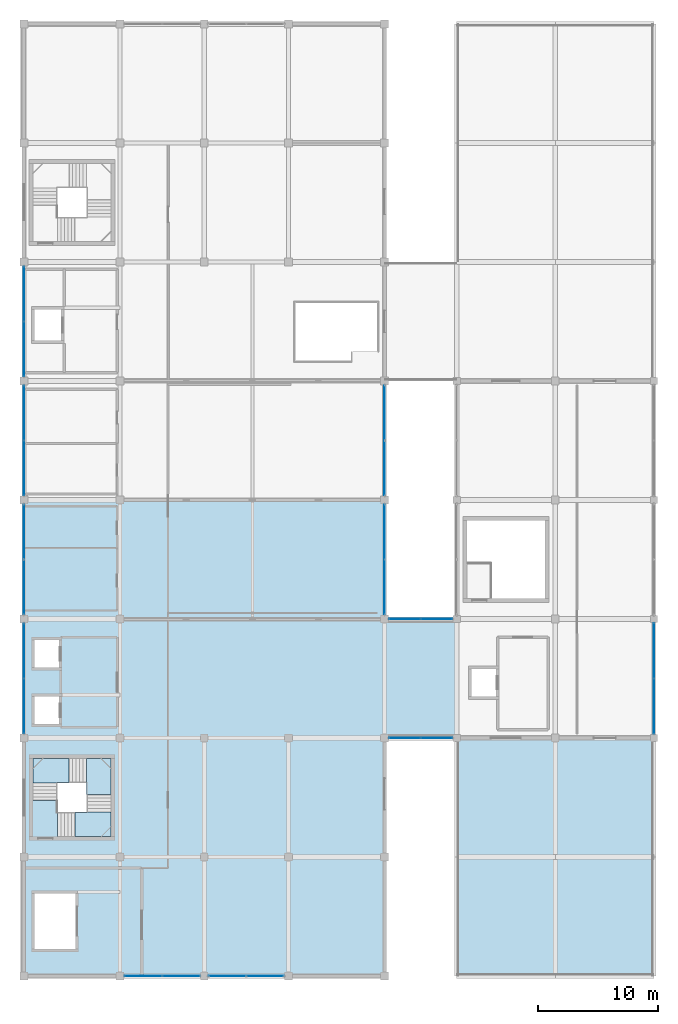
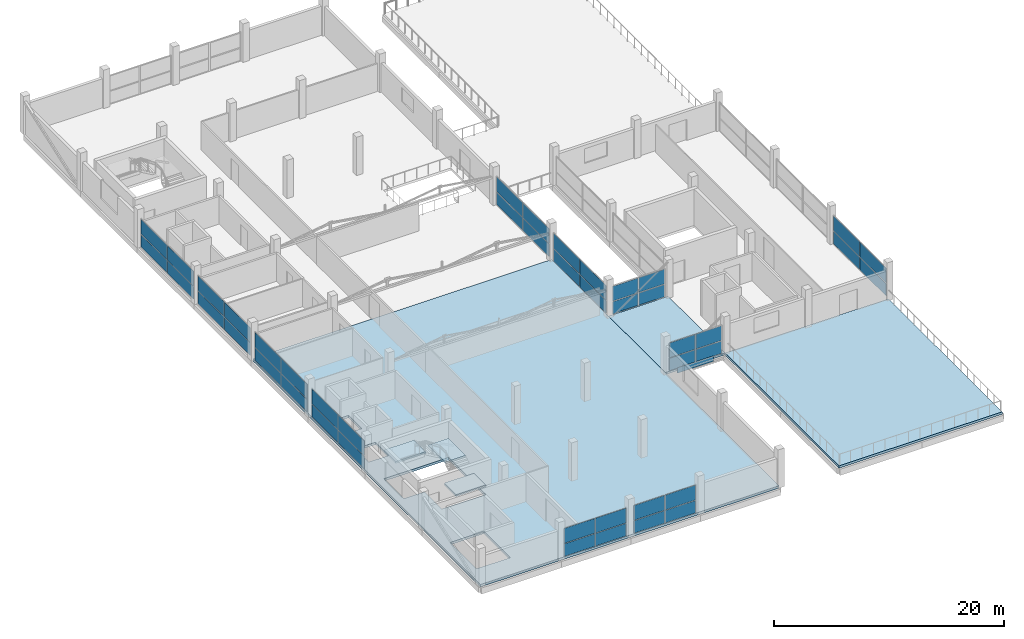
# One storey, part 42 of 53: 46 plates, 6 slabs, 12 elements without a shape of their own.
"""IFC4 building model written with IfcOpenShell, lengths in metres."""

from ifc_helpers import new_model, si_unit, direction, frame, origin, origin_2d, place, context, subcontext, project, spatial, polyline, rectangle, outline, extrude, material, layer, layer_set, type_object, element, aggregate, save


model = new_model("IFC4")

# Units and contexts
model_context = context("Model", 3, precision=1e-05, world=origin(), true_north=direction((0.0, 1.0)))
body_context = subcontext(model_context, "Body", "Model", "MODEL_VIEW")
ifc_project = project(units=[si_unit("LENGTHUNIT", "METRE"), si_unit("AREAUNIT", "SQUARE_METRE"), si_unit("VOLUMEUNIT", "CUBIC_METRE"), si_unit("PLANEANGLEUNIT", "RADIAN"), si_unit("MASSUNIT", "GRAM", prefix="KILO")], contexts=[model_context])

# Site, building, storey
site_placement = place(None, origin())
site = spatial("IfcSite", under=ifc_project, at=site_placement, CompositionType="ELEMENT")
building_placement = place(site_placement, origin())
building = spatial("IfcBuilding", under=site, at=building_placement, Name="Sillaruma Civic Art Gallery", CompositionType="ELEMENT")
storey_placement = place(building_placement, frame((0.0, 0.0, 70.3798828125)))
storey = spatial("IfcBuildingStorey", under=building, at=storey_placement, Name="L14", CompositionType="ELEMENT", Elevation=70.3798828125)

# Plates
ifc_material_1 = material(Name="Anodised Zinc-Aluminium Alloy", Category="aluminium")
ifc_layer_1 = layer(ifc_material_1, 0.044921875, Name="Anodised Zinc-Aluminium Alloy")
ifc_layer_set_1 = layer_set([ifc_layer_1], Name="Anodised Zinc-Aluminium Alloy")
plate_type_1 = type_object("IfcPlateType", Name="PLT-FAS-01", PredefinedType="USERDEFINED", material=ifc_layer_set_1)
for number, where, z_axis, x_axis, name in (
    (1, (95.0, 39.60009765625, -0.469970703125), (0.0, 0.0, 1.0), (1.0, 0.0, 0.0), "Sky-Bridge Fascia Cassette (BRG-S:L14:S)"),
    (2, (95.0, 49.5, -0.469970703125), (0.0, 0.0, 1.0), (1.0, 0.0, 0.0), "Sky-Bridge Fascia Cassette (BRG-S:L14:N)"),
):
    element("IfcPlate", number, at=place(storey_placement, frame(where, z_axis=z_axis, x_axis=x_axis)), inside=storey, type_object=plate_type_1, Name=name, ObjectType="FASCIA CASSETTE", PredefinedType="USERDEFINED", context=body_context, shape_type="SweptSolid", body=[
        extrude(rectangle(XDim=3.60009765625, YDim=0.044921875, at=origin_2d()), origin(), (0.0, 0.0, 1.0), 0.580078125),
    ])

# Curtain wall, plates
ifc_material_2 = material(Name="Thermally Broken Extruded Aluminium 6063-T6", Category="aluminium")
ifc_layer_2 = layer(ifc_material_2, 0.139892578125, Name="Thermally Broken Extruded Aluminium 6063-T6")
ifc_layer_set_2 = layer_set([ifc_layer_2], Name="Thermally Broken Extruded Aluminium 6063-T6")
curtain_wall_type_1 = type_object("IfcCurtainWallType", Name="CW-UNI-93", PredefinedType="NOTDEFINED", material=ifc_layer_set_2)
curtain_wall_1_placement = place(storey_placement, origin())
curtain_wall_1 = element("IfcCurtainWall", 3, at=curtain_wall_1_placement, inside=storey, type_object=curtain_wall_type_1, Name="Unitised Curtain Wall CW-93 (CW-L14-WBW-3)", PredefinedType="NOTDEFINED")
ifc_material_3 = material(Name="Low-E UV-Filtered Laminated Insulating Glass", Category="glass")
ifc_layer_3 = layer(ifc_material_3, 0.028076171875, Name="Low-E UV-Filtered Laminated Insulating Glass")
ifc_layer_set_3 = layer_set([ifc_layer_3], Name="Low-E UV-Filtered Laminated Insulating Glass")
plate_type_2 = type_object("IfcPlateType", Name="PNL-GLZ-28", PredefinedType="CURTAIN_PANEL", material=ifc_layer_set_3)
plate_1_placement = place(storey_placement, frame((62.0, 42.25244140625, 0.06005859375), z_axis=(0.0, 0.0, 1.0), x_axis=(0.0, 1.0, 0.0)))
plate_1 = element("IfcPlate", 4, at=plate_1_placement, type_object=plate_type_2, Name="CW-93 panel 1.1", PredefinedType="CURTAIN_PANEL", context=body_context, shape_type="SweptSolid", body=[
    extrude(rectangle(XDim=4.534912109375, YDim=0.028076171875, at=origin_2d()), origin(), (0.0, 0.0, 1.0), 1.326904296875),
])
plate_2_placement = place(storey_placement, frame((62.0, 42.25244140625, 1.44677734375), z_axis=(0.0, 0.0, 1.0), x_axis=(0.0, 1.0, 0.0)))
plate_2 = element("IfcPlate", 5, at=plate_2_placement, type_object=plate_type_2, Name="CW-93 panel 1.2", PredefinedType="CURTAIN_PANEL", context=body_context, shape_type="SweptSolid", body=[
    extrude(rectangle(XDim=4.534912109375, YDim=0.028076171875, at=origin_2d()), origin(), (0.0, 0.0, 1.0), 1.5732421875),
])
plate_3_placement = place(storey_placement, frame((62.0, 46.847412109375, 0.06005859375), z_axis=(0.0, 0.0, 1.0), x_axis=(0.0, 1.0, 0.0)))
plate_3 = element("IfcPlate", 6, at=plate_3_placement, type_object=plate_type_2, Name="CW-93 panel 2.1", PredefinedType="CURTAIN_PANEL", context=body_context, shape_type="SweptSolid", body=[
    extrude(rectangle(XDim=4.534912109375, YDim=0.028076171875, at=origin_2d()), origin(), (0.0, 0.0, 1.0), 1.326904296875),
])
plate_4_placement = place(storey_placement, frame((62.0, 46.847412109375, 1.44677734375), z_axis=(0.0, 0.0, 1.0), x_axis=(0.0, 1.0, 0.0)))
plate_4 = element("IfcPlate", 7, at=plate_4_placement, type_object=plate_type_2, Name="CW-93 panel 2.2", PredefinedType="CURTAIN_PANEL", context=body_context, shape_type="SweptSolid", body=[
    extrude(rectangle(XDim=4.534912109375, YDim=0.028076171875, at=origin_2d()), origin(), (0.0, 0.0, 1.0), 1.5732421875),
])
aggregate(curtain_wall_1, [plate_1, plate_2, plate_3, plate_4])

ifc_layer_4 = layer(ifc_material_2, 0.139892578125, Name="Thermally Broken Extruded Aluminium 6063-T6")
ifc_layer_set_4 = layer_set([ifc_layer_4], Name="Thermally Broken Extruded Aluminium 6063-T6")
curtain_wall_type_2 = type_object("IfcCurtainWallType", Name="CW-UNI-106", PredefinedType="NOTDEFINED", material=ifc_layer_set_4)
curtain_wall_2_placement = place(storey_placement, origin())
curtain_wall_2 = element("IfcCurtainWall", 8, at=curtain_wall_2_placement, inside=storey, type_object=curtain_wall_type_2, Name="Unitised Curtain Wall CW-106 (CW-L14-WBS-2)", PredefinedType="NOTDEFINED")
plate_5_placement = place(storey_placement, frame((71.927490234375, 19.800048828125, 0.06005859375), z_axis=(0.0, 0.0, 1.0), x_axis=(1.0, 0.0, 0.0)))
plate_5 = element("IfcPlate", 9, at=plate_5_placement, type_object=plate_type_2, Name="CW-106 panel 1.1", PredefinedType="CURTAIN_PANEL", context=body_context, shape_type="SweptSolid", body=[
    extrude(rectangle(XDim=3.0849609375, YDim=0.028076171875, at=origin_2d()), origin(), (0.0, 0.0, 1.0), 1.326904296875),
])
plate_6_placement = place(storey_placement, frame((71.927490234375, 19.800048828125, 1.44677734375), z_axis=(0.0, 0.0, 1.0), x_axis=(1.0, 0.0, 0.0)))
plate_6 = element("IfcPlate", 10, at=plate_6_placement, type_object=plate_type_2, Name="CW-106 panel 1.2", PredefinedType="CURTAIN_PANEL", context=body_context, shape_type="SweptSolid", body=[
    extrude(rectangle(XDim=3.0849609375, YDim=0.028076171875, at=origin_2d()), origin(), (0.0, 0.0, 1.0), 1.5732421875),
])
plate_7_placement = place(storey_placement, frame((75.072509765625, 19.800048828125, 0.06005859375), z_axis=(0.0, 0.0, 1.0), x_axis=(1.0, 0.0, 0.0)))
plate_7 = element("IfcPlate", 11, at=plate_7_placement, type_object=plate_type_2, Name="CW-106 panel 2.1", PredefinedType="CURTAIN_PANEL", context=body_context, shape_type="SweptSolid", body=[
    extrude(rectangle(XDim=3.0849609375, YDim=0.028076171875, at=origin_2d()), origin(), (0.0, 0.0, 1.0), 1.326904296875),
])
plate_8_placement = place(storey_placement, frame((75.072509765625, 19.800048828125, 1.44677734375), z_axis=(0.0, 0.0, 1.0), x_axis=(1.0, 0.0, 0.0)))
plate_8 = element("IfcPlate", 12, at=plate_8_placement, type_object=plate_type_2, Name="CW-106 panel 2.2", PredefinedType="CURTAIN_PANEL", context=body_context, shape_type="SweptSolid", body=[
    extrude(rectangle(XDim=3.0849609375, YDim=0.028076171875, at=origin_2d()), origin(), (0.0, 0.0, 1.0), 1.5732421875),
])
aggregate(curtain_wall_2, [plate_5, plate_6, plate_7, plate_8])

ifc_layer_5 = layer(ifc_material_2, 0.159912109375, Name="Thermally Broken Extruded Aluminium 6063-T6")
ifc_layer_set_5 = layer_set([ifc_layer_5], Name="Thermally Broken Extruded Aluminium 6063-T6")
curtain_wall_type_3 = type_object("IfcCurtainWallType", Name="CW-UNI-94", PredefinedType="NOTDEFINED", material=ifc_layer_set_5)
curtain_wall_3_placement = place(storey_placement, origin())
curtain_wall_3 = element("IfcCurtainWall", 13, at=curtain_wall_3_placement, inside=storey, type_object=curtain_wall_type_3, Name="Unitised Curtain Wall CW-94 (CW-L14-WBW-5)", PredefinedType="NOTDEFINED")
ifc_layer_6 = layer(ifc_material_3, 0.030029296875, Name="Low-E UV-Filtered Laminated Insulating Glass")
ifc_layer_set_6 = layer_set([ifc_layer_6], Name="Low-E UV-Filtered Laminated Insulating Glass")
plate_type_3 = type_object("IfcPlateType", Name="PNL-GLZ-30", PredefinedType="CURTAIN_PANEL", material=ifc_layer_set_6)
plate_9_placement = place(storey_placement, frame((62.0, 62.0537109375, 0.06005859375), z_axis=(0.0, 0.0, 1.0), x_axis=(0.0, 1.0, 0.0)))
plate_9 = element("IfcPlate", 14, at=plate_9_placement, type_object=plate_type_3, Name="CW-94 panel 1.1", PredefinedType="CURTAIN_PANEL", context=body_context, shape_type="SweptSolid", body=[
    extrude(rectangle(XDim=4.527587890625, YDim=0.030029296875, at=origin_2d()), origin(), (0.0, 0.0, 1.0), 1.326904296875),
])
plate_10_placement = place(storey_placement, frame((62.0, 62.0537109375, 1.44677734375), z_axis=(0.0, 0.0, 1.0), x_axis=(0.0, 1.0, 0.0)))
plate_10 = element("IfcPlate", 15, at=plate_10_placement, type_object=plate_type_3, Name="CW-94 panel 1.2", PredefinedType="CURTAIN_PANEL", context=body_context, shape_type="SweptSolid", body=[
    extrude(rectangle(XDim=4.527587890625, YDim=0.030029296875, at=origin_2d()), origin(), (0.0, 0.0, 1.0), 1.5732421875),
])
plate_11_placement = place(storey_placement, frame((62.0, 66.646240234375, 0.06005859375), z_axis=(0.0, 0.0, 1.0), x_axis=(0.0, 1.0, 0.0)))
plate_11 = element("IfcPlate", 16, at=plate_11_placement, type_object=plate_type_3, Name="CW-94 panel 2.1", PredefinedType="CURTAIN_PANEL", context=body_context, shape_type="SweptSolid", body=[
    extrude(rectangle(XDim=4.527587890625, YDim=0.030029296875, at=origin_2d()), origin(), (0.0, 0.0, 1.0), 1.326904296875),
])
plate_12_placement = place(storey_placement, frame((62.0, 66.646240234375, 1.44677734375), z_axis=(0.0, 0.0, 1.0), x_axis=(0.0, 1.0, 0.0)))
plate_12 = element("IfcPlate", 17, at=plate_12_placement, type_object=plate_type_3, Name="CW-94 panel 2.2", PredefinedType="CURTAIN_PANEL", context=body_context, shape_type="SweptSolid", body=[
    extrude(rectangle(XDim=4.527587890625, YDim=0.030029296875, at=origin_2d()), origin(), (0.0, 0.0, 1.0), 1.5732421875),
])
aggregate(curtain_wall_3, [plate_9, plate_10, plate_11, plate_12])

ifc_layer_7 = layer(ifc_material_2, 0.139892578125, Name="Thermally Broken Extruded Aluminium 6063-T6")
ifc_layer_set_7 = layer_set([ifc_layer_7], Name="Thermally Broken Extruded Aluminium 6063-T6")
curtain_wall_type_4 = type_object("IfcCurtainWallType", Name="CW-UNI-105", PredefinedType="NOTDEFINED", material=ifc_layer_set_7)
curtain_wall_4_placement = place(storey_placement, origin())
curtain_wall_4 = element("IfcCurtainWall", 18, at=curtain_wall_4_placement, inside=storey, type_object=curtain_wall_type_4, Name="Unitised Curtain Wall CW-105 (CW-L14-WBE-4)", PredefinedType="NOTDEFINED")
ifc_layer_8 = layer(ifc_material_3, 0.033935546875, Name="Low-E UV-Filtered Laminated Insulating Glass")
ifc_layer_set_8 = layer_set([ifc_layer_8], Name="Low-E UV-Filtered Laminated Insulating Glass")
plate_type_4 = type_object("IfcPlateType", Name="PNL-GLZ-34", PredefinedType="CURTAIN_PANEL", material=ifc_layer_set_8)
plate_13_placement = place(storey_placement, frame((92.0, 52.152587890625, 0.065185546875), z_axis=(0.0, 0.0, 1.0), x_axis=(0.0, 1.0, 0.0)))
plate_13 = element("IfcPlate", 19, at=plate_13_placement, type_object=plate_type_4, Name="CW-105 panel 1.1", PredefinedType="CURTAIN_PANEL", context=body_context, shape_type="SweptSolid", body=[
    extrude(rectangle(XDim=4.534912109375, YDim=0.033935546875, at=origin_2d()), origin(), (0.0, 0.0, 1.0), 1.3193359375),
])
plate_14_placement = place(storey_placement, frame((92.0, 52.152587890625, 1.44921875), z_axis=(0.0, 0.0, 1.0), x_axis=(0.0, 1.0, 0.0)))
plate_14 = element("IfcPlate", 20, at=plate_14_placement, type_object=plate_type_4, Name="CW-105 panel 1.2", PredefinedType="CURTAIN_PANEL", context=body_context, shape_type="SweptSolid", body=[
    extrude(rectangle(XDim=4.534912109375, YDim=0.033935546875, at=origin_2d()), origin(), (0.0, 0.0, 1.0), 1.565673828125),
])
plate_15_placement = place(storey_placement, frame((92.0, 56.74755859375, 0.065185546875), z_axis=(0.0, 0.0, 1.0), x_axis=(0.0, 1.0, 0.0)))
plate_15 = element("IfcPlate", 21, at=plate_15_placement, type_object=plate_type_4, Name="CW-105 panel 2.1", PredefinedType="CURTAIN_PANEL", context=body_context, shape_type="SweptSolid", body=[
    extrude(rectangle(XDim=4.534912109375, YDim=0.033935546875, at=origin_2d()), origin(), (0.0, 0.0, 1.0), 1.3193359375),
])
plate_16_placement = place(storey_placement, frame((92.0, 56.74755859375, 1.44921875), z_axis=(0.0, 0.0, 1.0), x_axis=(0.0, 1.0, 0.0)))
plate_16 = element("IfcPlate", 22, at=plate_16_placement, type_object=plate_type_4, Name="CW-105 panel 2.2", PredefinedType="CURTAIN_PANEL", context=body_context, shape_type="SweptSolid", body=[
    extrude(rectangle(XDim=4.534912109375, YDim=0.033935546875, at=origin_2d()), origin(), (0.0, 0.0, 1.0), 1.565673828125),
])
aggregate(curtain_wall_4, [plate_13, plate_14, plate_15, plate_16])

curtain_wall_5_placement = place(storey_placement, origin())
curtain_wall_5 = element("IfcCurtainWall", 23, at=curtain_wall_5_placement, inside=storey, type_object=curtain_wall_type_4, Name="Unitised Curtain Wall CW-105 (CW-L14-WBW-6)", PredefinedType="NOTDEFINED")
plate_17_placement = place(storey_placement, frame((62.0, 71.952392578125, 0.065185546875), z_axis=(0.0, 0.0, 1.0), x_axis=(0.0, 1.0, 0.0)))
plate_17 = element("IfcPlate", 24, at=plate_17_placement, type_object=plate_type_4, Name="CW-105 panel 1.1", PredefinedType="CURTAIN_PANEL", context=body_context, shape_type="SweptSolid", body=[
    extrude(rectangle(XDim=4.534912109375, YDim=0.033935546875, at=origin_2d()), origin(), (0.0, 0.0, 1.0), 1.3193359375),
])
plate_18_placement = place(storey_placement, frame((62.0, 71.952392578125, 1.44921875), z_axis=(0.0, 0.0, 1.0), x_axis=(0.0, 1.0, 0.0)))
plate_18 = element("IfcPlate", 25, at=plate_18_placement, type_object=plate_type_4, Name="CW-105 panel 1.2", PredefinedType="CURTAIN_PANEL", context=body_context, shape_type="SweptSolid", body=[
    extrude(rectangle(XDim=4.534912109375, YDim=0.033935546875, at=origin_2d()), origin(), (0.0, 0.0, 1.0), 1.565673828125),
])
plate_19_placement = place(storey_placement, frame((62.0, 76.547607421875, 0.065185546875), z_axis=(0.0, 0.0, 1.0), x_axis=(0.0, 1.0, 0.0)))
plate_19 = element("IfcPlate", 26, at=plate_19_placement, type_object=plate_type_4, Name="CW-105 panel 2.1", PredefinedType="CURTAIN_PANEL", context=body_context, shape_type="SweptSolid", body=[
    extrude(rectangle(XDim=4.534912109375, YDim=0.033935546875, at=origin_2d()), origin(), (0.0, 0.0, 1.0), 1.3193359375),
])
plate_20_placement = place(storey_placement, frame((62.0, 76.547607421875, 1.44921875), z_axis=(0.0, 0.0, 1.0), x_axis=(0.0, 1.0, 0.0)))
plate_20 = element("IfcPlate", 27, at=plate_20_placement, type_object=plate_type_4, Name="CW-105 panel 2.2", PredefinedType="CURTAIN_PANEL", context=body_context, shape_type="SweptSolid", body=[
    extrude(rectangle(XDim=4.534912109375, YDim=0.033935546875, at=origin_2d()), origin(), (0.0, 0.0, 1.0), 1.565673828125),
])
aggregate(curtain_wall_5, [plate_17, plate_18, plate_19, plate_20])

ifc_layer_9 = layer(ifc_material_2, 0.139892578125, Name="Thermally Broken Extruded Aluminium 6063-T6")
ifc_layer_set_9 = layer_set([ifc_layer_9], Name="Thermally Broken Extruded Aluminium 6063-T6")
curtain_wall_type_5 = type_object("IfcCurtainWallType", Name="CW-UNI-99", PredefinedType="NOTDEFINED", material=ifc_layer_set_9)
curtain_wall_6_placement = place(storey_placement, origin())
curtain_wall_6 = element("IfcCurtainWall", 28, at=curtain_wall_6_placement, inside=storey, type_object=curtain_wall_type_5, Name="Unitised Curtain Wall CW-99 (CW-L14-EHH-E1)", PredefinedType="NOTDEFINED")
plate_21_placement = place(storey_placement, frame((114.39990234375, 42.239990234375, 0.065185546875), z_axis=(0.0, 0.0, 1.0), x_axis=(0.0, 1.0, 0.0)))
plate_21 = element("IfcPlate", 29, at=plate_21_placement, type_object=plate_type_4, Name="CW-99 panel 1.1", PredefinedType="CURTAIN_PANEL", context=body_context, shape_type="SweptSolid", body=[
    extrude(rectangle(XDim=4.56005859375, YDim=0.033935546875, at=origin_2d()), origin(), (0.0, 0.0, 1.0), 1.3193359375),
])
plate_22_placement = place(storey_placement, frame((114.39990234375, 42.239990234375, 1.44921875), z_axis=(0.0, 0.0, 1.0), x_axis=(0.0, 1.0, 0.0)))
plate_22 = element("IfcPlate", 30, at=plate_22_placement, type_object=plate_type_4, Name="CW-99 panel 1.2", PredefinedType="CURTAIN_PANEL", context=body_context, shape_type="SweptSolid", body=[
    extrude(rectangle(XDim=4.56005859375, YDim=0.033935546875, at=origin_2d()), origin(), (0.0, 0.0, 1.0), 1.565673828125),
])
plate_23_placement = place(storey_placement, frame((114.39990234375, 46.860107421875, 0.065185546875), z_axis=(0.0, 0.0, 1.0), x_axis=(0.0, 1.0, 0.0)))
plate_23 = element("IfcPlate", 31, at=plate_23_placement, type_object=plate_type_4, Name="CW-99 panel 2.1", PredefinedType="CURTAIN_PANEL", context=body_context, shape_type="SweptSolid", body=[
    extrude(rectangle(XDim=4.56005859375, YDim=0.033935546875, at=origin_2d()), origin(), (0.0, 0.0, 1.0), 1.3193359375),
])
plate_24_placement = place(storey_placement, frame((114.39990234375, 46.860107421875, 1.44921875), z_axis=(0.0, 0.0, 1.0), x_axis=(0.0, 1.0, 0.0)))
plate_24 = element("IfcPlate", 32, at=plate_24_placement, type_object=plate_type_4, Name="CW-99 panel 2.2", PredefinedType="CURTAIN_PANEL", context=body_context, shape_type="SweptSolid", body=[
    extrude(rectangle(XDim=4.56005859375, YDim=0.033935546875, at=origin_2d()), origin(), (0.0, 0.0, 1.0), 1.565673828125),
])
aggregate(curtain_wall_6, [plate_21, plate_22, plate_23, plate_24])

ifc_layer_10 = layer(ifc_material_2, 0.179931640625, Name="Thermally Broken Extruded Aluminium 6063-T6")
ifc_layer_set_10 = layer_set([ifc_layer_10], Name="Thermally Broken Extruded Aluminium 6063-T6")
curtain_wall_type_6 = type_object("IfcCurtainWallType", Name="CW-UNI-90", PredefinedType="NOTDEFINED", material=ifc_layer_set_10)
curtain_wall_7_placement = place(storey_placement, origin())
curtain_wall_7 = element("IfcCurtainWall", 33, at=curtain_wall_7_placement, inside=storey, type_object=curtain_wall_type_6, Name="Unitised Curtain Wall CW-90 (CW-L14-WBE-5)", PredefinedType="NOTDEFINED")
ifc_layer_11 = layer(ifc_material_3, 0.035888671875, Name="Low-E UV-Filtered Laminated Insulating Glass")
ifc_layer_set_11 = layer_set([ifc_layer_11], Name="Low-E UV-Filtered Laminated Insulating Glass")
plate_type_5 = type_object("IfcPlateType", Name="PNL-GLZ-36", PredefinedType="CURTAIN_PANEL", material=ifc_layer_set_11)
plate_25_placement = place(storey_placement, frame((92.0, 62.054931640625, 0.0703125), z_axis=(0.0, 0.0, 1.0), x_axis=(0.0, 1.0, 0.0)))
plate_25 = element("IfcPlate", 34, at=plate_25_placement, type_object=plate_type_5, Name="CW-90 panel 1.1", PredefinedType="CURTAIN_PANEL", context=body_context, shape_type="SweptSolid", body=[
    extrude(rectangle(XDim=4.52001953125, YDim=0.035888671875, at=origin_2d()), origin(), (0.0, 0.0, 1.0), 1.311767578125),
])
plate_26_placement = place(storey_placement, frame((92.0, 62.054931640625, 1.451904296875), z_axis=(0.0, 0.0, 1.0), x_axis=(0.0, 1.0, 0.0)))
plate_26 = element("IfcPlate", 35, at=plate_26_placement, type_object=plate_type_5, Name="CW-90 panel 1.2", PredefinedType="CURTAIN_PANEL", context=body_context, shape_type="SweptSolid", body=[
    extrude(rectangle(XDim=4.52001953125, YDim=0.035888671875, at=origin_2d()), origin(), (0.0, 0.0, 1.0), 1.55810546875),
])
plate_27_placement = place(storey_placement, frame((92.0, 66.64501953125, 0.0703125), z_axis=(0.0, 0.0, 1.0), x_axis=(0.0, 1.0, 0.0)))
plate_27 = element("IfcPlate", 36, at=plate_27_placement, type_object=plate_type_5, Name="CW-90 panel 2.1", PredefinedType="CURTAIN_PANEL", context=body_context, shape_type="SweptSolid", body=[
    extrude(rectangle(XDim=4.52001953125, YDim=0.035888671875, at=origin_2d()), origin(), (0.0, 0.0, 1.0), 1.311767578125),
])
plate_28_placement = place(storey_placement, frame((92.0, 66.64501953125, 1.451904296875), z_axis=(0.0, 0.0, 1.0), x_axis=(0.0, 1.0, 0.0)))
plate_28 = element("IfcPlate", 37, at=plate_28_placement, type_object=plate_type_5, Name="CW-90 panel 2.2", PredefinedType="CURTAIN_PANEL", context=body_context, shape_type="SweptSolid", body=[
    extrude(rectangle(XDim=4.52001953125, YDim=0.035888671875, at=origin_2d()), origin(), (0.0, 0.0, 1.0), 1.55810546875),
])
aggregate(curtain_wall_7, [plate_25, plate_26, plate_27, plate_28])

# Curtain wall, plate
ifc_layer_12 = layer(ifc_material_2, 0.179931640625, Name="Thermally Broken Extruded Aluminium 6063-T6")
ifc_layer_set_12 = layer_set([ifc_layer_12], Name="Thermally Broken Extruded Aluminium 6063-T6")
curtain_wall_type_7 = type_object("IfcCurtainWallType", Name="CW-UNI-110", PredefinedType="NOTDEFINED", material=ifc_layer_set_12)
curtain_wall_8_placement = place(storey_placement, origin())
curtain_wall_8 = element("IfcCurtainWall", 38, at=curtain_wall_8_placement, inside=storey, type_object=curtain_wall_type_7, Name="Unitised Curtain Wall CW-110 (CW-BRG-S-L14-S)", PredefinedType="NOTDEFINED")
plate_29_placement = place(storey_placement, frame((96.3388671875, 39.60009765625, 0.0703125), z_axis=(0.0, 0.0, 1.0), x_axis=(1.0, 0.0, 0.0)))
plate_29 = element("IfcPlate", 39, at=plate_29_placement, type_object=plate_type_5, Name="CW-110 panel 2.1", PredefinedType="CURTAIN_PANEL", context=body_context, shape_type="SweptSolid", body=[
    extrude(rectangle(XDim=2.58251953125, YDim=0.035888671875, at=origin_2d()), origin(), (0.0, 0.0, 1.0), 1.311767578125),
])

curtain_wall_9_placement = place(storey_placement, origin())
curtain_wall_9 = element("IfcCurtainWall", 40, at=curtain_wall_9_placement, inside=storey, type_object=curtain_wall_type_7, Name="Unitised Curtain Wall CW-110 (CW-BRG-S-L14-N)", PredefinedType="NOTDEFINED")
plate_30_placement = place(storey_placement, frame((96.3388671875, 49.5, 0.0703125), z_axis=(0.0, 0.0, 1.0), x_axis=(1.0, 0.0, 0.0)))
plate_30 = element("IfcPlate", 41, at=plate_30_placement, type_object=plate_type_5, Name="CW-110 panel 2.1", PredefinedType="CURTAIN_PANEL", context=body_context, shape_type="SweptSolid", body=[
    extrude(rectangle(XDim=2.58251953125, YDim=0.035888671875, at=origin_2d()), origin(), (0.0, 0.0, 1.0), 1.311767578125),
])

# Curtain wall, plates
ifc_layer_13 = layer(ifc_material_2, 0.179931640625, Name="Thermally Broken Extruded Aluminium 6063-T6")
ifc_layer_set_13 = layer_set([ifc_layer_13], Name="Thermally Broken Extruded Aluminium 6063-T6")
curtain_wall_type_8 = type_object("IfcCurtainWallType", Name="CW-UNI-92", PredefinedType="NOTDEFINED", material=ifc_layer_set_13)
curtain_wall_10_placement = place(storey_placement, origin())
curtain_wall_10 = element("IfcCurtainWall", 42, at=curtain_wall_10_placement, inside=storey, type_object=curtain_wall_type_8, Name="Unitised Curtain Wall CW-92 (CW-L14-WBW-4)", PredefinedType="NOTDEFINED")
ifc_layer_14 = layer(ifc_material_3, 0.0400390625, Name="Low-E UV-Filtered Laminated Insulating Glass")
ifc_layer_set_14 = layer_set([ifc_layer_14], Name="Low-E UV-Filtered Laminated Insulating Glass")
plate_type_6 = type_object("IfcPlateType", Name="PNL-GLZ-40", PredefinedType="CURTAIN_PANEL", material=ifc_layer_set_14)
plate_31_placement = place(storey_placement, frame((62.0, 52.155029296875, 0.065185546875), z_axis=(0.0, 0.0, 1.0), x_axis=(0.0, 1.0, 0.0)))
plate_31 = element("IfcPlate", 43, at=plate_31_placement, type_object=plate_type_6, Name="CW-92 panel 1.1", PredefinedType="CURTAIN_PANEL", context=body_context, shape_type="SweptSolid", body=[
    extrude(rectangle(XDim=4.52001953125, YDim=0.0400390625, at=origin_2d()), origin(), (0.0, 0.0, 1.0), 1.3193359375),
])
plate_32_placement = place(storey_placement, frame((62.0, 52.155029296875, 1.44921875), z_axis=(0.0, 0.0, 1.0), x_axis=(0.0, 1.0, 0.0)))
plate_32 = element("IfcPlate", 44, at=plate_32_placement, type_object=plate_type_6, Name="CW-92 panel 1.2", PredefinedType="CURTAIN_PANEL", context=body_context, shape_type="SweptSolid", body=[
    extrude(rectangle(XDim=4.52001953125, YDim=0.0400390625, at=origin_2d()), origin(), (0.0, 0.0, 1.0), 1.565673828125),
])
plate_33_placement = place(storey_placement, frame((62.0, 56.7451171875, 0.065185546875), z_axis=(0.0, 0.0, 1.0), x_axis=(0.0, 1.0, 0.0)))
plate_33 = element("IfcPlate", 45, at=plate_33_placement, type_object=plate_type_6, Name="CW-92 panel 2.1", PredefinedType="CURTAIN_PANEL", context=body_context, shape_type="SweptSolid", body=[
    extrude(rectangle(XDim=4.52001953125, YDim=0.0400390625, at=origin_2d()), origin(), (0.0, 0.0, 1.0), 1.3193359375),
])
plate_34_placement = place(storey_placement, frame((62.0, 56.7451171875, 1.44921875), z_axis=(0.0, 0.0, 1.0), x_axis=(0.0, 1.0, 0.0)))
plate_34 = element("IfcPlate", 46, at=plate_34_placement, type_object=plate_type_6, Name="CW-92 panel 2.2", PredefinedType="CURTAIN_PANEL", context=body_context, shape_type="SweptSolid", body=[
    extrude(rectangle(XDim=4.52001953125, YDim=0.0400390625, at=origin_2d()), origin(), (0.0, 0.0, 1.0), 1.565673828125),
])
aggregate(curtain_wall_10, [plate_31, plate_32, plate_33, plate_34])

ifc_layer_15 = layer(ifc_material_2, 0.179931640625, Name="Thermally Broken Extruded Aluminium 6063-T6")
ifc_layer_set_15 = layer_set([ifc_layer_15], Name="Thermally Broken Extruded Aluminium 6063-T6")
curtain_wall_type_9 = type_object("IfcCurtainWallType", Name="CW-UNI-109", PredefinedType="NOTDEFINED", material=ifc_layer_set_15)
curtain_wall_11_placement = place(storey_placement, origin())
curtain_wall_11 = element("IfcCurtainWall", 47, at=curtain_wall_11_placement, inside=storey, type_object=curtain_wall_type_9, Name="Unitised Curtain Wall CW-109 (CW-L14-WBS-3)", PredefinedType="NOTDEFINED")
plate_35_placement = place(storey_placement, frame((78.929931640625, 19.800048828125, 0.065185546875), z_axis=(0.0, 0.0, 1.0), x_axis=(1.0, 0.0, 0.0)))
plate_35 = element("IfcPlate", 48, at=plate_35_placement, type_object=plate_type_6, Name="CW-109 panel 1.1", PredefinedType="CURTAIN_PANEL", context=body_context, shape_type="SweptSolid", body=[
    extrude(rectangle(XDim=3.070068359375, YDim=0.0400390625, at=origin_2d()), origin(), (0.0, 0.0, 1.0), 1.3193359375),
])
plate_36_placement = place(storey_placement, frame((78.929931640625, 19.800048828125, 1.44921875), z_axis=(0.0, 0.0, 1.0), x_axis=(1.0, 0.0, 0.0)))
plate_36 = element("IfcPlate", 49, at=plate_36_placement, type_object=plate_type_6, Name="CW-109 panel 1.2", PredefinedType="CURTAIN_PANEL", context=body_context, shape_type="SweptSolid", body=[
    extrude(rectangle(XDim=3.070068359375, YDim=0.0400390625, at=origin_2d()), origin(), (0.0, 0.0, 1.0), 1.565673828125),
])
plate_37_placement = place(storey_placement, frame((82.070068359375, 19.800048828125, 0.065185546875), z_axis=(0.0, 0.0, 1.0), x_axis=(1.0, 0.0, 0.0)))
plate_37 = element("IfcPlate", 50, at=plate_37_placement, type_object=plate_type_6, Name="CW-109 panel 2.1", PredefinedType="CURTAIN_PANEL", context=body_context, shape_type="SweptSolid", body=[
    extrude(rectangle(XDim=3.070068359375, YDim=0.0400390625, at=origin_2d()), origin(), (0.0, 0.0, 1.0), 1.3193359375),
])
plate_38_placement = place(storey_placement, frame((82.070068359375, 19.800048828125, 1.44921875), z_axis=(0.0, 0.0, 1.0), x_axis=(1.0, 0.0, 0.0)))
plate_38 = element("IfcPlate", 51, at=plate_38_placement, type_object=plate_type_6, Name="CW-109 panel 2.2", PredefinedType="CURTAIN_PANEL", context=body_context, shape_type="SweptSolid", body=[
    extrude(rectangle(XDim=3.070068359375, YDim=0.0400390625, at=origin_2d()), origin(), (0.0, 0.0, 1.0), 1.565673828125),
])
aggregate(curtain_wall_11, [plate_35, plate_36, plate_37, plate_38])

# Plate
ifc_layer_16 = layer(ifc_material_1, 0.035888671875, Name="Anodised Zinc-Aluminium Alloy")
ifc_layer_set_16 = layer_set([ifc_layer_16], Name="Anodised Zinc-Aluminium Alloy")
plate_type_7 = type_object("IfcPlateType", Name="PNL-SPD-36", PredefinedType="CURTAIN_PANEL", material=ifc_layer_set_16)
plate_39_placement = place(storey_placement, frame((93.686279296875, 39.60009765625, 0.0703125), z_axis=(0.0, 0.0, 1.0), x_axis=(1.0, 0.0, 0.0)))
plate_39 = element("IfcPlate", 52, at=plate_39_placement, type_object=plate_type_7, Name="CW-110 panel 1.1", PredefinedType="CURTAIN_PANEL", context=body_context, shape_type="SweptSolid", body=[
    extrude(rectangle(XDim=2.58251953125, YDim=0.035888671875, at=origin_2d()), origin(), (0.0, 0.0, 1.0), 1.311767578125),
])

plate_40_placement = place(storey_placement, frame((93.686279296875, 39.60009765625, 1.451904296875), z_axis=(0.0, 0.0, 1.0), x_axis=(1.0, 0.0, 0.0)))
plate_40 = element("IfcPlate", 53, at=plate_40_placement, type_object=plate_type_7, Name="CW-110 panel 1.2", PredefinedType="CURTAIN_PANEL", context=body_context, shape_type="SweptSolid", body=[
    extrude(rectangle(XDim=2.58251953125, YDim=0.035888671875, at=origin_2d()), origin(), (0.0, 0.0, 1.0), 1.55810546875),
])

plate_41_placement = place(storey_placement, frame((96.3388671875, 39.60009765625, 1.451904296875), z_axis=(0.0, 0.0, 1.0), x_axis=(1.0, 0.0, 0.0)))
plate_41 = element("IfcPlate", 54, at=plate_41_placement, type_object=plate_type_7, Name="CW-110 panel 2.2", PredefinedType="CURTAIN_PANEL", context=body_context, shape_type="SweptSolid", body=[
    extrude(rectangle(XDim=2.58251953125, YDim=0.035888671875, at=origin_2d()), origin(), (0.0, 0.0, 1.0), 1.55810546875),
])

aggregate(curtain_wall_8, [plate_39, plate_40, plate_29, plate_41])

plate_42_placement = place(storey_placement, frame((93.686279296875, 49.5, 0.0703125), z_axis=(0.0, 0.0, 1.0), x_axis=(1.0, 0.0, 0.0)))
plate_42 = element("IfcPlate", 55, at=plate_42_placement, type_object=plate_type_7, Name="CW-110 panel 1.1", PredefinedType="CURTAIN_PANEL", context=body_context, shape_type="SweptSolid", body=[
    extrude(rectangle(XDim=2.58251953125, YDim=0.035888671875, at=origin_2d()), origin(), (0.0, 0.0, 1.0), 1.311767578125),
])

plate_43_placement = place(storey_placement, frame((93.686279296875, 49.5, 1.451904296875), z_axis=(0.0, 0.0, 1.0), x_axis=(1.0, 0.0, 0.0)))
plate_43 = element("IfcPlate", 56, at=plate_43_placement, type_object=plate_type_7, Name="CW-110 panel 1.2", PredefinedType="CURTAIN_PANEL", context=body_context, shape_type="SweptSolid", body=[
    extrude(rectangle(XDim=2.58251953125, YDim=0.035888671875, at=origin_2d()), origin(), (0.0, 0.0, 1.0), 1.55810546875),
])

plate_44_placement = place(storey_placement, frame((96.3388671875, 49.5, 1.451904296875), z_axis=(0.0, 0.0, 1.0), x_axis=(1.0, 0.0, 0.0)))
plate_44 = element("IfcPlate", 57, at=plate_44_placement, type_object=plate_type_7, Name="CW-110 panel 2.2", PredefinedType="CURTAIN_PANEL", context=body_context, shape_type="SweptSolid", body=[
    extrude(rectangle(XDim=2.58251953125, YDim=0.035888671875, at=origin_2d()), origin(), (0.0, 0.0, 1.0), 1.55810546875),
])

aggregate(curtain_wall_9, [plate_42, plate_43, plate_30, plate_44])

# Slabs
ifc_material_4 = material(Name="Concrete H35 (35 MPa)", Category="concrete")
ifc_layer_17 = layer(ifc_material_4, 0.25, Name="Concrete H35 (35 MPa)")
ifc_layer_set_17 = layer_set([ifc_layer_17], Name="Concrete H35 (35 MPa)")
slab_type_1 = type_object("IfcSlabType", Name="SLB-EXT-250", PredefinedType="FLOOR", material=ifc_layer_set_17)
slab_1_placement = place(storey_placement, frame((0.0, 0.0, -0.25)))
element("IfcSlab", 58, at=slab_1_placement, inside=storey, type_object=slab_type_1, Name="East Bar South Sky Sculpture Terrace (SLB-L14-TER-ES)", PredefinedType="FLOOR", context=body_context, shape_type="SweptSolid", body=[
    extrude(outline(polyline([(98.0, 19.800048828125), (114.39990234375, 19.800048828125), (114.39990234375, 39.60009765625), (98.0, 39.60009765625), (98.0, 19.800048828125)])), origin(), (0.0, 0.0, 1.0), 0.25),
])
ifc_layer_18 = layer(ifc_material_4, 0.2099609375, Name="Concrete H35 (35 MPa)")
ifc_layer_set_18 = layer_set([ifc_layer_18], Name="Concrete H35 (35 MPa)")
slab_type_2 = type_object("IfcSlabType", Name="SLB-FLR-210", PredefinedType="FLOOR", material=ifc_layer_set_18)
slab_2_placement = place(storey_placement, frame((0.0, 0.0, -0.2099609375)))
element("IfcSlab", 59, at=slab_2_placement, inside=storey, type_object=slab_type_2, Name="Floor Slab SF-210 (SLB-L14-BRGS)", PredefinedType="FLOOR", context=body_context, shape_type="SweptSolid", body=[
    extrude(outline(polyline([(92.0, 39.60009765625), (98.0, 39.60009765625), (98.0, 49.5), (92.0, 49.5), (92.0, 39.60009765625)])), origin(), (0.0, 0.0, 1.0), 0.2099609375),
])
ifc_layer_19 = layer(ifc_material_4, 0.25, Name="Concrete H35 (35 MPa)")
ifc_layer_set_19 = layer_set([ifc_layer_19], Name="Concrete H35 (35 MPa)")
slab_type_3 = type_object("IfcSlabType", Name="SLB-FLR-250", PredefinedType="FLOOR", material=ifc_layer_set_19)
slab_3_placement = place(storey_placement, frame((0.0, 0.0, -0.25)))
element("IfcSlab", 60, at=slab_3_placement, inside=storey, type_object=slab_type_3, Name="Floor Slab SF-250 (SLB-L14-WESTS)", PredefinedType="FLOOR", context=body_context, shape_type="SweptSolid", body=[
    extrude(outline(polyline([(62.0, 19.800048828125), (92.0, 19.800048828125), (92.0, 59.39990234375), (62.0, 59.39990234375), (62.0, 19.800048828125)]), holes=[polyline([(64.81494140625, 31.409912109375), (69.239990234375, 31.409912109375), (69.239990234375, 37.889892578125), (62.760009765625, 37.889892578125), (62.760009765625, 34.4150390625), (64.81494140625, 34.4150390625), (64.81494140625, 31.409912109375)]), polyline([(62.89990234375, 40.75), (64.89990234375, 40.75), (64.89990234375, 43.050048828125), (62.89990234375, 43.050048828125), (62.89990234375, 40.75)]), polyline([(62.89990234375, 45.449951171875), (64.89990234375, 45.449951171875), (64.89990234375, 47.75), (62.89990234375, 47.75), (62.89990234375, 45.449951171875)]), polyline([(62.89990234375, 22.050048828125), (66.300048828125, 22.050048828125), (66.300048828125, 26.64990234375), (62.89990234375, 26.64990234375), (62.89990234375, 22.050048828125)])]), origin(), (0.0, 0.0, 1.0), 0.25),
])

# Stair, slabs
stair_type = type_object("IfcStairType", Name="STR-4F-24", PredefinedType="USERDEFINED", material=ifc_material_4)
stair_placement = place(storey_placement, origin())
stair = element("IfcStair", 61, at=stair_placement, inside=storey, type_object=stair_type, Name="Protected Exit Stair ST-03 (West Bar South) (L14)", ObjectType="THREE_RETURN_STAIR", PredefinedType="USERDEFINED")
ifc_layer_20 = layer(ifc_material_4, 0.199951171875, Name="Concrete H35 (35 MPa)")
ifc_layer_set_20 = layer_set([ifc_layer_20], Name="Concrete H35 (35 MPa)")
slab_type_4 = type_object("IfcSlabType", Name="SLB-LND-200", PredefinedType="LANDING", material=ifc_layer_set_20)
slab_4_placement = place(storey_placement, frame((0.0, 0.0, 0.820068359375)))
slab_4 = element("IfcSlab", 62, at=slab_4_placement, type_object=slab_type_4, Name="ST-03 landing 1", PredefinedType="LANDING", context=body_context, shape_type="SweptSolid", body=[
    extrude(outline(polyline([(66.25, 31.409912109375), (69.239990234375, 31.409912109375), (69.239990234375, 33.449951171875), (66.25, 33.449951171875), (66.25, 31.409912109375)])), origin(), (0.0, 0.0, 1.0), 0.199951171875),
])
slab_5_placement = place(storey_placement, frame((0.0, 0.0, 1.840087890625)))
slab_5 = element("IfcSlab", 63, at=slab_5_placement, type_object=slab_type_4, Name="ST-03 landing 2", PredefinedType="LANDING", context=body_context, shape_type="SweptSolid", body=[
    extrude(outline(polyline([(67.199951171875, 34.89990234375), (69.239990234375, 34.89990234375), (69.239990234375, 37.889892578125), (67.199951171875, 37.889892578125), (67.199951171875, 34.89990234375)])), origin(), (0.0, 0.0, 1.0), 0.199951171875),
])
slab_6_placement = place(storey_placement, frame((0.0, 0.0, 2.860107421875)))
slab_6 = element("IfcSlab", 64, at=slab_6_placement, type_object=slab_type_4, Name="ST-03 landing 3", PredefinedType="LANDING", context=body_context, shape_type="SweptSolid", body=[
    extrude(outline(polyline([(62.760009765625, 35.85009765625), (65.75, 35.85009765625), (65.75, 37.889892578125), (62.760009765625, 37.889892578125), (62.760009765625, 35.85009765625)])), origin(), (0.0, 0.0, 1.0), 0.199951171875),
])
aggregate(stair, [slab_4, slab_5, slab_6])

save(model, "model.ifc")
